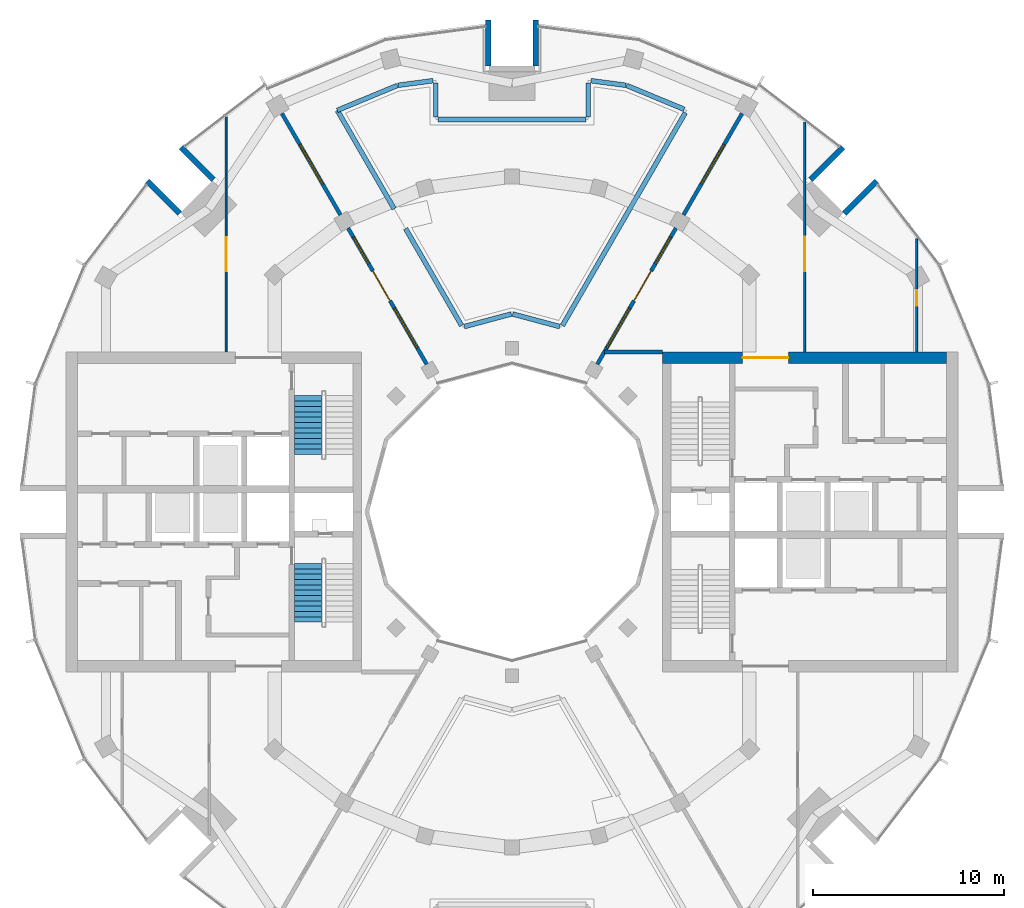
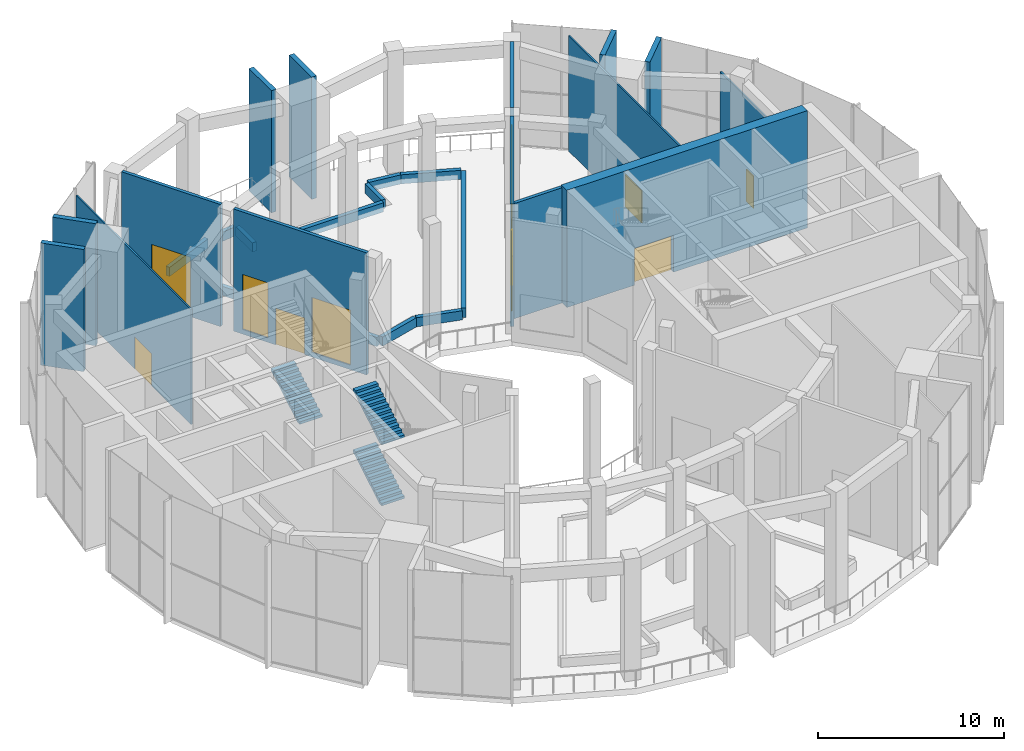
# One storey, part 14 of 18: 27 walls, 6 doors, 6 windows, 3 stair flights, 12 openings, 2 elements without a shape of their own.
"""IFC4 building model written with IfcOpenShell, lengths in metres."""

from ifc_helpers import new_model, si_unit, direction, frame, frame_2d, origin, place, context, subcontext, project, spatial, polyline, rectangle, outline, extrude, material, layer, layer_set, type_object, element, fill, aggregate, save


model = new_model("IFC4")

# Units and contexts
model_context = context("Model", 3, precision=1e-05, world=origin(), true_north=direction((0.0, 1.0)))
body_context = subcontext(model_context, "Body", "Model", "MODEL_VIEW")
ifc_project = project(units=[si_unit("LENGTHUNIT", "METRE"), si_unit("AREAUNIT", "SQUARE_METRE"), si_unit("VOLUMEUNIT", "CUBIC_METRE"), si_unit("PLANEANGLEUNIT", "RADIAN"), si_unit("MASSUNIT", "GRAM", prefix="KILO")], contexts=[model_context])

# Site, building, storey
site_placement = place(None, origin())
site = spatial("IfcSite", under=ifc_project, at=site_placement, CompositionType="ELEMENT")
building_placement = place(site_placement, origin())
building = spatial("IfcBuilding", under=site, at=building_placement, Name="Torre Brocal", CompositionType="ELEMENT")
storey_placement = place(building_placement, frame((0.0, 0.0, 229.300048828125)))
storey = spatial("IfcBuildingStorey", under=building, at=storey_placement, Name="L53", CompositionType="ELEMENT", Elevation=229.300048828125)

# Wall, opening, door
ifc_material_1 = material(Name="Concrete C60", Category="concrete")
ifc_layer_1 = layer(ifc_material_1, 0.60009765625)
ifc_layer_set_1 = layer_set([ifc_layer_1], Name="Concrete C60")
wall_type_1 = type_object("IfcWallType", Name="CORE WALL 600 C60", PredefinedType="SHEAR", material=ifc_layer_set_1)
wall_1_placement = place(storey_placement, frame((87.89990234375, 83.10009765625, 0.0), z_axis=(0.0, 0.0, 1.0), x_axis=(1.0, 0.0, 0.0)))
wall_1 = element("IfcWall", 1, at=wall_1_placement, inside=storey, type_object=wall_type_1, Name="Wall CW600-60", PredefinedType="SHEAR", context=body_context, shape_type="SweptSolid", body=[
    extrude(rectangle(XDim=14.900146484375, YDim=0.60009765625, at=frame_2d((7.4501953125, 0.0))), origin(), (0.0, 0.0, 1.0), 7.679931640625),
])
opening_1_placement = place(wall_1_placement, frame((4.199951171875, 0.0, 0.0)))
opening_1 = element("IfcOpeningElement", 2, at=opening_1_placement, cuts=wall_1, Name="Opening E-D34", PredefinedType="OPENING", context=body_context, shape_type="SweptSolid", body=[
    extrude(rectangle(XDim=2.39990234375, YDim=2.39990234375, at=frame_2d((1.199951171875, 1.199951171875))), frame((0.0, 0.31005859375, 0.0), z_axis=(0.0, -1.0, 0.0), x_axis=(1.0, 0.0, 0.0)), (0.0, 0.0, 1.0), 0.6201171875),
])
ifc_material_2 = material(Name="Steel A653", Category="steel")
door_type_1 = type_object("IfcDoorType", Name="DOUBLE FIRE DOOR FD90 2400X2400", OperationType="DOUBLE_DOOR_SINGLE_SWING", PredefinedType="DOOR", material=ifc_material_2)
door_1_placement = place(opening_1_placement, origin())
door_1 = element("IfcDoor", 3, at=door_1_placement, inside=storey, type_object=door_type_1, Name="Door E-D34", OperationType="DOUBLE_DOOR_SINGLE_SWING", OverallHeight=2.39990234375, OverallWidth=2.39990234375, PredefinedType="DOOR", context=body_context, shape_type="SweptSolid", body=[
    extrude(rectangle(XDim=2.39990234375, YDim=2.39990234375, at=frame_2d((1.199951171875, 1.199951171875))), frame((0.0, 0.02490234375, 0.0), z_axis=(0.0, -1.0, 0.0), x_axis=(1.0, 0.0, 0.0)), (0.0, 0.0, 1.0), 0.050048828125),
])
fill(opening_1, door_1)

# Walls
ifc_material_3 = material(Name="Concrete C60", Category="concrete")
ifc_layer_2 = layer(ifc_material_3, 0.300048828125)
ifc_layer_set_2 = layer_set([ifc_layer_2], Name="Concrete C60")
wall_type_2 = type_object("IfcWallType", Name="NOTCH RETURN WALL 300 C60", PredefinedType="NOTDEFINED", material=ifc_layer_set_2)
for number, where, z_axis, x_axis, name in (
    (4, (97.43017578125, 90.662353515625, 0.0), (0.0, 0.0, 1.0), (0.707106781187, 0.707106781187, 0.0), "NOTCH RETURN WALL"),
    (5, (95.662353515625, 92.43017578125, 0.0), (0.0, 0.0, 1.0), (0.707106781187, 0.707106781187, 0.0), "NOTCH RETURN WALL"),
    (6, (81.25, 98.39990234375, 0.0), (0.0, 0.0, 1.0), (0.0, 1.0, 0.0), "NOTCH RETURN WALL"),
    (7, (78.75, 98.39990234375, 0.0), (0.0, 0.0, 1.0), (0.0, 1.0, 0.0), "NOTCH RETURN WALL"),
    (8, (64.337646484375, 92.43017578125, 0.0), (0.0, 0.0, 1.0), (-0.707106781187, 0.707106781187, 0.0), "NOTCH RETURN WALL"),
    (9, (62.56982421875, 90.662353515625, 0.0), (0.0, 0.0, 1.0), (-0.707106781187, 0.707106781187, 0.0), "NOTCH RETURN WALL"),
):
    element("IfcWall", number, at=place(storey_placement, frame(where, z_axis=z_axis, x_axis=x_axis)), inside=storey, type_object=wall_type_2, Name=name, PredefinedType="NOTDEFINED", context=body_context, shape_type="SweptSolid", body=[
        extrude(rectangle(XDim=2.415771484375, YDim=0.300048828125, at=frame_2d((1.2080078125, 0.0))), origin(), (0.0, 0.0, 1.0), 8.0),
    ])

# Wall, opening, door
ifc_material_4 = material(Name="Gypsum board", Category="Gypsum")
ifc_layer_3 = layer(ifc_material_4, 0.10009765625)
ifc_layer_set_3 = layer_set([ifc_layer_3], Name="Gypsum board")
wall_type_3 = type_object("IfcWallType", Name="PARTITION 100", PredefinedType="PARTITIONING", material=ifc_layer_set_3)
wall_2_placement = place(storey_placement, frame((65.0, 83.39990234375, 0.0), z_axis=(0.0, 0.0, 1.0), x_axis=(0.0, 1.0, 0.0)))
wall_2 = element("IfcWall", 10, at=wall_2_placement, inside=storey, type_object=wall_type_3, Name="ROOM PARTITION", PredefinedType="PARTITIONING", context=body_context, shape_type="SweptSolid", body=[
    extrude(rectangle(XDim=12.330078125, YDim=0.10009765625, at=frame_2d((6.1650390625, 0.0))), origin(), (0.0, 0.0, 1.0), 7.550048828125),
])
opening_2_placement = place(wall_2_placement, frame((4.221435546875, 0.0, 0.0)))
opening_2 = element("IfcOpeningElement", 11, at=opening_2_placement, cuts=wall_2, Name="Opening SG3-D04", PredefinedType="OPENING", context=body_context, shape_type="SweptSolid", body=[
    extrude(rectangle(XDim=1.800048828125, YDim=2.10009765625, at=frame_2d((0.89990234375, 1.050048828125))), frame((0.0, 0.06005859375, 0.0), z_axis=(0.0, -1.0, 0.0), x_axis=(1.0, 0.0, 0.0)), (0.0, 0.0, 1.0), 0.1201171875),
])
ifc_material_5 = material(Name="Timber", Category="wood")
door_type_2 = type_object("IfcDoorType", Name="DOUBLE DOOR 1800X2100", OperationType="DOUBLE_DOOR_SINGLE_SWING", PredefinedType="DOOR", material=ifc_material_5)
door_2_placement = place(opening_2_placement, origin())
door_2 = element("IfcDoor", 12, at=door_2_placement, inside=storey, type_object=door_type_2, Name="SG3-D04", OperationType="DOUBLE_DOOR_SINGLE_SWING", OverallHeight=2.10009765625, OverallWidth=1.800048828125, PredefinedType="DOOR", context=body_context, shape_type="SweptSolid", body=[
    extrude(rectangle(XDim=1.800048828125, YDim=2.10009765625, at=frame_2d((0.89990234375, 1.050048828125))), frame((0.0, 0.02490234375, 0.0), z_axis=(0.0, -1.0, 0.0), x_axis=(1.0, 0.0, 0.0)), (0.0, 0.0, 1.0), 0.050048828125),
])
fill(opening_2, door_2)

wall_3_placement = place(storey_placement, frame((95.35107421875, 83.39990234375, 0.0), z_axis=(0.0, 0.0, 1.0), x_axis=(0.0, 1.0, 0.0)))
wall_3 = element("IfcWall", 13, at=wall_3_placement, inside=storey, type_object=wall_type_3, Name="ROOM PARTITION", PredefinedType="PARTITIONING", context=body_context, shape_type="SweptSolid", body=[
    extrude(rectangle(XDim=12.06005859375, YDim=0.10009765625, at=frame_2d((6.030029296875, 0.0))), origin(), (0.0, 0.0, 1.0), 7.550048828125),
])
opening_3_placement = place(wall_3_placement, frame((4.22998046875, 0.0, 0.0)))
opening_3 = element("IfcOpeningElement", 14, at=opening_3_placement, cuts=wall_3, Name="Opening SG3-D01", PredefinedType="OPENING", context=body_context, shape_type="SweptSolid", body=[
    extrude(rectangle(XDim=1.800048828125, YDim=2.10009765625, at=frame_2d((0.89990234375, 1.050048828125))), frame((0.0, 0.06005859375, 0.0), z_axis=(0.0, -1.0, 0.0), x_axis=(1.0, 0.0, 0.0)), (0.0, 0.0, 1.0), 0.1201171875),
])
door_3_placement = place(opening_3_placement, frame((1.800048828125, 0.0, 0.0), z_axis=(0.0, 0.0, 1.0), x_axis=(-1.0, 0.0, 0.0)))
door_3 = element("IfcDoor", 15, at=door_3_placement, inside=storey, type_object=door_type_2, Name="SG3-D01", OperationType="DOUBLE_DOOR_SINGLE_SWING", OverallHeight=2.10009765625, OverallWidth=1.800048828125, PredefinedType="DOOR", context=body_context, shape_type="SweptSolid", body=[
    extrude(rectangle(XDim=1.800048828125, YDim=2.10009765625, at=frame_2d((0.89990234375, 1.050048828125))), frame((0.0, 0.02490234375, 0.0), z_axis=(0.0, -1.0, 0.0), x_axis=(1.0, 0.0, 0.0)), (0.0, 0.0, 1.0), 0.050048828125),
])
fill(opening_3, door_3)

ifc_material_6 = material(Name="Gypsum board", Category="Gypsum")
ifc_layer_4 = layer(ifc_material_6, 0.10009765625)
ifc_layer_set_4 = layer_set([ifc_layer_4], Name="Gypsum board")
wall_type_4 = type_object("IfcWallType", Name="PARTITION 100 UNDER BEAM 1170", PredefinedType="PARTITIONING", material=ifc_layer_set_4)
wall_4_placement = place(storey_placement, frame((101.23095703125, 83.39990234375, 0.0), z_axis=(0.0, 0.0, 1.0), x_axis=(0.0, 1.0, 0.0)))
wall_4 = element("IfcWall", 16, at=wall_4_placement, inside=storey, type_object=wall_type_4, Name="BATHROOM WALL", PredefinedType="PARTITIONING", context=body_context, shape_type="SweptSolid", body=[
    extrude(rectangle(XDim=5.947998046875, YDim=0.10009765625, at=frame_2d((2.97412109375, 0.0))), origin(), (0.0, 0.0, 1.0), 6.829833984375),
])
opening_4_placement = place(wall_4_placement, frame((2.424072265625, 0.0, 0.0)))
opening_4 = element("IfcOpeningElement", 17, at=opening_4_placement, cuts=wall_4, Name="Opening SG3-D02", PredefinedType="OPENING", context=body_context, shape_type="SweptSolid", body=[
    extrude(rectangle(XDim=0.800048828125, YDim=2.10009765625, at=frame_2d((0.39990234375, 1.050048828125))), frame((0.0, 0.06005859375, 0.0), z_axis=(0.0, -1.0, 0.0), x_axis=(1.0, 0.0, 0.0)), (0.0, 0.0, 1.0), 0.1201171875),
])
ifc_material_7 = material(Name="Timber", Category="wood")
door_type_3 = type_object("IfcDoorType", Name="BATHROOM DOOR 800X2100", OperationType="SINGLE_SWING_LEFT", PredefinedType="DOOR", material=ifc_material_7)
door_4_placement = place(opening_4_placement, frame((0.800048828125, 0.0, 0.0), z_axis=(0.0, 0.0, 1.0), x_axis=(-1.0, 0.0, 0.0)))
door_4 = element("IfcDoor", 18, at=door_4_placement, inside=storey, type_object=door_type_3, Name="SG3-D02", OperationType="SINGLE_SWING_LEFT", OverallHeight=2.10009765625, OverallWidth=0.800048828125, PredefinedType="DOOR", context=body_context, shape_type="SweptSolid", body=[
    extrude(rectangle(XDim=0.800048828125, YDim=2.10009765625, at=frame_2d((0.39990234375, 1.050048828125))), frame((0.0, 0.02490234375, 0.0), z_axis=(0.0, -1.0, 0.0), x_axis=(1.0, 0.0, 0.0)), (0.0, 0.0, 1.0), 0.050048828125),
])
fill(opening_4, door_4)

# Wall
ifc_material_8 = material(Name="Gypsum board", Category="Gypsum")
ifc_layer_5 = layer(ifc_material_8, 0.199951171875)
ifc_layer_set_5 = layer_set([ifc_layer_5], Name="Gypsum board")
wall_type_5 = type_object("IfcWallType", Name="PARTITION 200 EI60", PredefinedType="PARTITIONING", material=ifc_layer_set_5)
wall_5_placement = place(storey_placement, frame((84.85107421875, 83.39990234375, 0.0), z_axis=(0.0, 0.0, 1.0), x_axis=(1.0, 0.0, 0.0)))
element("IfcWall", 19, at=wall_5_placement, inside=storey, type_object=wall_type_5, Name="PARTY PARTITION", PredefinedType="PARTITIONING", context=body_context, shape_type="SweptSolid", body=[
    extrude(rectangle(XDim=3.0478515625, YDim=0.199951171875, at=frame_2d((1.52392578125, 0.0))), origin(), (0.0, 0.0, 1.0), 7.550048828125),
])

# Wall, openings, door, windows
ifc_material_9 = material(Name="Concrete C40", Category="concrete")
ifc_layer_6 = layer(ifc_material_9, 0.199951171875)
ifc_layer_set_6 = layer_set([ifc_layer_6], Name="Concrete C40")
wall_type_6 = type_object("IfcWallType", Name="PAVILION BOUNDARY WALL 200", PredefinedType="NOTDEFINED", material=ifc_layer_set_6)
wall_6_placement = place(storey_placement, frame((84.47509765625, 82.7509765625, 0.0), z_axis=(0.0, 0.0, 1.0), x_axis=(0.499996545922, 0.866027397988, 0.0)))
wall_6 = element("IfcWall", 20, at=wall_6_placement, inside=storey, type_object=wall_type_6, Name="PAVILION BOUNDARY WALL", PredefinedType="NOTDEFINED", context=body_context, shape_type="SweptSolid", body=[
    extrude(rectangle(XDim=8.25, YDim=0.199951171875, at=frame_2d((4.125, 0.0))), origin(), (0.0, 0.0, 1.0), 8.0),
])
opening_5_placement = place(wall_6_placement, frame((1.0, 0.0, 0.300048828125)))
opening_5 = element("IfcOpeningElement", 21, at=opening_5_placement, cuts=wall_6, Name="Opening W4", PredefinedType="OPENING", context=body_context, shape_type="SweptSolid", body=[
    extrude(rectangle(XDim=2.39990234375, YDim=3.60009765625, at=frame_2d((1.199951171875, 1.800048828125))), frame((0.0, 0.10986328125, 0.0), z_axis=(0.0, -1.0, 0.0), x_axis=(1.0, 0.0, 0.0)), (0.0, 0.0, 1.0), 0.219970703125),
])
opening_6_placement = place(wall_6_placement, frame((3.85009765625, 0.0, 0.0)))
opening_6 = element("IfcOpeningElement", 22, at=opening_6_placement, cuts=wall_6, Name="Opening L53-E01", PredefinedType="OPENING", context=body_context, shape_type="SweptSolid", body=[
    extrude(rectangle(XDim=1.800048828125, YDim=2.39990234375, at=frame_2d((0.89990234375, 1.199951171875))), frame((0.0, 0.10986328125, 0.0), z_axis=(0.0, -1.0, 0.0), x_axis=(1.0, 0.0, 0.0)), (0.0, 0.0, 1.0), 0.219970703125),
])
opening_7_placement = place(wall_6_placement, frame((6.10009765625, 0.0, 0.300048828125)))
opening_7 = element("IfcOpeningElement", 23, at=opening_7_placement, cuts=wall_6, Name="Opening W4-1600", PredefinedType="OPENING", context=body_context, shape_type="SweptSolid", body=[
    extrude(rectangle(XDim=1.60009765625, YDim=3.60009765625, at=frame_2d((0.800048828125, 1.800048828125))), frame((0.0, 0.10986328125, 0.0), z_axis=(0.0, -1.0, 0.0), x_axis=(1.0, 0.0, 0.0)), (0.0, 0.0, 1.0), 0.219970703125),
])
ifc_material_10 = material(Name="Aluminium and glass", Category="aluminium")
door_type_4 = type_object("IfcDoorType", Name="PAVILION DOOR 1800X2400", OperationType="DOUBLE_DOOR_SINGLE_SWING", PredefinedType="DOOR", material=ifc_material_10)
door_5_placement = place(opening_6_placement, origin())
door_5 = element("IfcDoor", 24, at=door_5_placement, inside=storey, type_object=door_type_4, Name="DOOR L53-E01", OperationType="DOUBLE_DOOR_SINGLE_SWING", OverallHeight=2.39990234375, OverallWidth=1.800048828125, PredefinedType="DOOR", context=body_context, shape_type="SweptSolid", body=[
    extrude(rectangle(XDim=1.800048828125, YDim=2.39990234375, at=frame_2d((0.89990234375, 1.199951171875))), frame((0.0, 0.02490234375, 0.0), z_axis=(0.0, -1.0, 0.0), x_axis=(1.0, 0.0, 0.0)), (0.0, 0.0, 1.0), 0.050048828125),
])
fill(opening_6, door_5)
ifc_material_11 = material(Name="Aluminium and glass", Category="aluminium")
window_type_1 = type_object("IfcWindowType", Name="PAVILION WINDOW 1600X3600", PartitioningType="SINGLE_PANEL", PredefinedType="WINDOW", material=ifc_material_11)
window_1_placement = place(opening_7_placement, origin())
window_1 = element("IfcWindow", 25, at=window_1_placement, inside=storey, type_object=window_type_1, Name="PAVILION WINDOW 1600X3600", OverallHeight=3.60009765625, OverallWidth=1.60009765625, PartitioningType="SINGLE_PANEL", PredefinedType="WINDOW", context=body_context, shape_type="SweptSolid", body=[
    extrude(rectangle(XDim=1.60009765625, YDim=3.60009765625, at=frame_2d((0.800048828125, 1.800048828125))), frame((0.0, 0.030029296875, 0.0), z_axis=(0.0, -1.0, 0.0), x_axis=(1.0, 0.0, 0.0)), (0.0, 0.0, 1.0), 0.06005859375),
])
fill(opening_7, window_1)
ifc_material_12 = material(Name="Aluminium and glass", Category="aluminium")
window_type_2 = type_object("IfcWindowType", Name="PAVILION WINDOW 2400X3600", PartitioningType="SINGLE_PANEL", PredefinedType="WINDOW", material=ifc_material_12)
window_2_placement = place(opening_5_placement, origin())
window_2 = element("IfcWindow", 26, at=window_2_placement, inside=storey, type_object=window_type_2, Name="PAVILION WINDOW 2400X3600", OverallHeight=3.60009765625, OverallWidth=2.39990234375, PartitioningType="SINGLE_PANEL", PredefinedType="WINDOW", context=body_context, shape_type="SweptSolid", body=[
    extrude(rectangle(XDim=2.39990234375, YDim=3.60009765625, at=frame_2d((1.199951171875, 1.800048828125))), frame((0.0, 0.030029296875, 0.0), z_axis=(0.0, -1.0, 0.0), x_axis=(1.0, 0.0, 0.0)), (0.0, 0.0, 1.0), 0.06005859375),
])
fill(opening_5, window_2)

# Wall, opening, window
wall_7_placement = place(storey_placement, frame((89.0, 90.58837890625, 0.0), z_axis=(0.0, 0.0, 1.0), x_axis=(0.499985903289, 0.866033542371, 0.0)))
wall_7 = element("IfcWall", 27, at=wall_7_placement, inside=storey, type_object=wall_type_6, Name="PAVILION BOUNDARY WALL", PredefinedType="NOTDEFINED", context=body_context, shape_type="SweptSolid", body=[
    extrude(rectangle(XDim=6.150146484375, YDim=0.199951171875, at=frame_2d((3.0751953125, 0.0))), origin(), (0.0, 0.0, 1.0), 8.0),
])
opening_8_placement = place(wall_7_placement, frame((1.875, 0.0, 0.300048828125)))
opening_8 = element("IfcOpeningElement", 28, at=opening_8_placement, cuts=wall_7, Name="Opening W4", PredefinedType="OPENING", context=body_context, shape_type="SweptSolid", body=[
    extrude(rectangle(XDim=2.39990234375, YDim=3.60009765625, at=frame_2d((1.199951171875, 1.800048828125))), frame((0.0, 0.10986328125, 0.0), z_axis=(0.0, -1.0, 0.0), x_axis=(1.0, 0.0, 0.0)), (0.0, 0.0, 1.0), 0.219970703125),
])
window_3_placement = place(opening_8_placement, origin())
window_3 = element("IfcWindow", 29, at=window_3_placement, inside=storey, type_object=window_type_2, Name="PAVILION WINDOW 2400X3600", OverallHeight=3.60009765625, OverallWidth=2.39990234375, PartitioningType="SINGLE_PANEL", PredefinedType="WINDOW", context=body_context, shape_type="SweptSolid", body=[
    extrude(rectangle(XDim=2.39990234375, YDim=3.60009765625, at=frame_2d((1.199951171875, 1.800048828125))), frame((0.0, 0.030029296875, 0.0), z_axis=(0.0, -1.0, 0.0), x_axis=(1.0, 0.0, 0.0)), (0.0, 0.0, 1.0), 0.06005859375),
])
fill(opening_8, window_3)

# Wall, openings, door, windows
wall_8_placement = place(storey_placement, frame((75.52490234375, 82.7509765625, 0.0), z_axis=(0.0, 0.0, 1.0), x_axis=(-0.499996545922, 0.866027397988, 0.0)))
wall_8 = element("IfcWall", 30, at=wall_8_placement, inside=storey, type_object=wall_type_6, Name="PAVILION BOUNDARY WALL", PredefinedType="NOTDEFINED", context=body_context, shape_type="SweptSolid", body=[
    extrude(rectangle(XDim=8.25, YDim=0.199951171875, at=frame_2d((4.125, 0.0))), origin(), (0.0, 0.0, 1.0), 8.0),
])
opening_9_placement = place(wall_8_placement, frame((1.0, 0.0, 0.300048828125)))
opening_9 = element("IfcOpeningElement", 31, at=opening_9_placement, cuts=wall_8, Name="Opening W4", PredefinedType="OPENING", context=body_context, shape_type="SweptSolid", body=[
    extrude(rectangle(XDim=2.39990234375, YDim=3.60009765625, at=frame_2d((1.199951171875, 1.800048828125))), frame((0.0, 0.10986328125, 0.0), z_axis=(0.0, -1.0, 0.0), x_axis=(1.0, 0.0, 0.0)), (0.0, 0.0, 1.0), 0.219970703125),
])
opening_10_placement = place(wall_8_placement, frame((3.85009765625, 0.0, 0.0)))
opening_10 = element("IfcOpeningElement", 32, at=opening_10_placement, cuts=wall_8, Name="Opening L53-E02", PredefinedType="OPENING", context=body_context, shape_type="SweptSolid", body=[
    extrude(rectangle(XDim=1.800048828125, YDim=2.39990234375, at=frame_2d((0.89990234375, 1.199951171875))), frame((0.0, 0.10986328125, 0.0), z_axis=(0.0, -1.0, 0.0), x_axis=(1.0, 0.0, 0.0)), (0.0, 0.0, 1.0), 0.219970703125),
])
opening_11_placement = place(wall_8_placement, frame((6.10009765625, 0.0, 0.300048828125)))
opening_11 = element("IfcOpeningElement", 33, at=opening_11_placement, cuts=wall_8, Name="Opening W4-1600", PredefinedType="OPENING", context=body_context, shape_type="SweptSolid", body=[
    extrude(rectangle(XDim=1.60009765625, YDim=3.60009765625, at=frame_2d((0.800048828125, 1.800048828125))), frame((0.0, 0.10986328125, 0.0), z_axis=(0.0, -1.0, 0.0), x_axis=(1.0, 0.0, 0.0)), (0.0, 0.0, 1.0), 0.219970703125),
])
door_6_placement = place(opening_10_placement, frame((1.800048828125, 0.0, 0.0), z_axis=(0.0, 0.0, 1.0), x_axis=(-1.0, 0.0, 0.0)))
door_6 = element("IfcDoor", 34, at=door_6_placement, inside=storey, type_object=door_type_4, Name="DOOR L53-E02", OperationType="DOUBLE_DOOR_SINGLE_SWING", OverallHeight=2.39990234375, OverallWidth=1.800048828125, PredefinedType="DOOR", context=body_context, shape_type="SweptSolid", body=[
    extrude(rectangle(XDim=1.800048828125, YDim=2.39990234375, at=frame_2d((0.89990234375, 1.199951171875))), frame((0.0, 0.02490234375, 0.0), z_axis=(0.0, -1.0, 0.0), x_axis=(1.0, 0.0, 0.0)), (0.0, 0.0, 1.0), 0.050048828125),
])
fill(opening_10, door_6)
window_4_placement = place(opening_11_placement, origin())
window_4 = element("IfcWindow", 35, at=window_4_placement, inside=storey, type_object=window_type_1, Name="PAVILION WINDOW 1600X3600", OverallHeight=3.60009765625, OverallWidth=1.60009765625, PartitioningType="SINGLE_PANEL", PredefinedType="WINDOW", context=body_context, shape_type="SweptSolid", body=[
    extrude(rectangle(XDim=1.60009765625, YDim=3.60009765625, at=frame_2d((0.800048828125, 1.800048828125))), frame((0.0, 0.030029296875, 0.0), z_axis=(0.0, -1.0, 0.0), x_axis=(1.0, 0.0, 0.0)), (0.0, 0.0, 1.0), 0.06005859375),
])
fill(opening_11, window_4)
window_5_placement = place(opening_9_placement, origin())
window_5 = element("IfcWindow", 36, at=window_5_placement, inside=storey, type_object=window_type_2, Name="PAVILION WINDOW 2400X3600", OverallHeight=3.60009765625, OverallWidth=2.39990234375, PartitioningType="SINGLE_PANEL", PredefinedType="WINDOW", context=body_context, shape_type="SweptSolid", body=[
    extrude(rectangle(XDim=2.39990234375, YDim=3.60009765625, at=frame_2d((1.199951171875, 1.800048828125))), frame((0.0, 0.030029296875, 0.0), z_axis=(0.0, -1.0, 0.0), x_axis=(1.0, 0.0, 0.0)), (0.0, 0.0, 1.0), 0.06005859375),
])
fill(opening_9, window_5)

# Wall, opening, window
wall_9_placement = place(storey_placement, frame((71.0, 90.58837890625, 0.0), z_axis=(0.0, 0.0, 1.0), x_axis=(-0.499985903289, 0.866033542371, 0.0)))
wall_9 = element("IfcWall", 37, at=wall_9_placement, inside=storey, type_object=wall_type_6, Name="PAVILION BOUNDARY WALL", PredefinedType="NOTDEFINED", context=body_context, shape_type="SweptSolid", body=[
    extrude(rectangle(XDim=6.150146484375, YDim=0.199951171875, at=frame_2d((3.0751953125, 0.0))), origin(), (0.0, 0.0, 1.0), 8.0),
])
opening_12_placement = place(wall_9_placement, frame((1.875, 0.0, 0.300048828125)))
opening_12 = element("IfcOpeningElement", 38, at=opening_12_placement, cuts=wall_9, Name="Opening W4", PredefinedType="OPENING", context=body_context, shape_type="SweptSolid", body=[
    extrude(rectangle(XDim=2.39990234375, YDim=3.60009765625, at=frame_2d((1.199951171875, 1.800048828125))), frame((0.0, 0.10986328125, 0.0), z_axis=(0.0, -1.0, 0.0), x_axis=(1.0, 0.0, 0.0)), (0.0, 0.0, 1.0), 0.219970703125),
])
window_6_placement = place(opening_12_placement, origin())
window_6 = element("IfcWindow", 39, at=window_6_placement, inside=storey, type_object=window_type_2, Name="PAVILION WINDOW 2400X3600", OverallHeight=3.60009765625, OverallWidth=2.39990234375, PartitioningType="SINGLE_PANEL", PredefinedType="WINDOW", context=body_context, shape_type="SweptSolid", body=[
    extrude(rectangle(XDim=2.39990234375, YDim=3.60009765625, at=frame_2d((1.199951171875, 1.800048828125))), frame((0.0, 0.030029296875, 0.0), z_axis=(0.0, -1.0, 0.0), x_axis=(1.0, 0.0, 0.0)), (0.0, 0.0, 1.0), 0.06005859375),
])
fill(opening_12, window_6)

# Walls
ifc_material_13 = material(Name="Concrete C35", Category="concrete")
ifc_layer_7 = layer(ifc_material_13, 0.25)
ifc_layer_set_7 = layer_set([ifc_layer_7], Name="Concrete C35")
wall_type_7 = type_object("IfcWallType", Name="PLANTER WALL 250 THICK 600 HIGH 8", PredefinedType="USERDEFINED", material=ifc_layer_set_7)
wall_10_placement = place(storey_placement, frame((70.8349609375, 96.074462890625, 0.0), z_axis=(0.0, 0.0, 1.0), x_axis=(0.500003486784, -0.866023390679, 0.0)))
element("IfcWall", 40, at=wall_10_placement, inside=storey, type_object=wall_type_7, Name="PLANTER", ObjectType="PLANTER", PredefinedType="USERDEFINED", context=body_context, shape_type="SweptSolid", body=[
    extrude(rectangle(XDim=5.9658203125, YDim=0.25, at=frame_2d((2.98291015625, 0.0))), origin(), (0.0, 0.0, 1.0), 0.599853515625),
])
wall_11_placement = place(storey_placement, frame((74.417724609375, 89.86865234375, 0.0), z_axis=(0.0, 0.0, 1.0), x_axis=(0.499999689456, -0.866025583077, 0.0)))
element("IfcWall", 41, at=wall_11_placement, inside=storey, type_object=wall_type_7, Name="PLANTER", ObjectType="PLANTER", PredefinedType="USERDEFINED", context=body_context, shape_type="SweptSolid", body=[
    extrude(rectangle(XDim=5.86962890625, YDim=0.25, at=frame_2d((2.934814453125, 0.0))), origin(), (0.0, 0.0, 1.0), 0.599853515625),
])
for number, where, z_axis, x_axis, name in (
    (42, (77.4931640625, 84.72705078125, 0.0), (0.0, 0.0, 1.0), (0.965917845578, 0.258848827685, 0.0), "PLANTER"),
    (43, (80.032470703125, 85.39013671875, 0.0), (0.0, 0.0, 1.0), (0.965917845578, -0.258848827685, 0.0), "PLANTER"),
):
    element("IfcWall", number, at=place(storey_placement, frame(where, z_axis=z_axis, x_axis=x_axis)), inside=storey, type_object=wall_type_7, Name=name, ObjectType="PLANTER", PredefinedType="USERDEFINED", context=body_context, shape_type="SweptSolid", body=[
        extrude(rectangle(XDim=2.561767578125, YDim=0.25, at=frame_2d((1.28076171875, 0.0))), origin(), (0.0, 0.0, 1.0), 0.599853515625),
    ])
wall_12_placement = place(storey_placement, frame((82.6474609375, 84.785400390625, 0.0), z_axis=(0.0, 0.0, 1.0), x_axis=(0.499992370413, 0.866029808684, 0.0)))
element("IfcWall", 44, at=wall_12_placement, inside=storey, type_object=wall_type_7, Name="PLANTER", ObjectType="PLANTER", PredefinedType="USERDEFINED", context=body_context, shape_type="SweptSolid", body=[
    extrude(rectangle(XDim=12.892822265625, YDim=0.25, at=frame_2d((6.4462890625, 0.0))), origin(), (0.0, 0.0, 1.0), 0.599853515625),
])
wall_13_placement = place(storey_placement, frame((89.033447265625, 96.12890625, 0.0), z_axis=(0.0, 0.0, 1.0), x_axis=(-0.923863886655, 0.382721202621, 0.0)))
element("IfcWall", 45, at=wall_13_placement, inside=storey, type_object=wall_type_7, Name="PLANTER", ObjectType="PLANTER", PredefinedType="USERDEFINED", context=body_context, shape_type="SweptSolid", body=[
    extrude(rectangle(XDim=3.2685546875, YDim=0.25, at=frame_2d((1.63427734375, 0.0))), origin(), (0.0, 0.0, 1.0), 0.599853515625),
])
wall_14_placement = place(storey_placement, frame((85.98193359375, 97.38818359375, 0.0), z_axis=(0.0, 0.0, 1.0), x_axis=(-0.991436829887, 0.130587182926, 0.0)))
element("IfcWall", 46, at=wall_14_placement, inside=storey, type_object=wall_type_7, Name="PLANTER", ObjectType="PLANTER", PredefinedType="USERDEFINED", context=body_context, shape_type="SweptSolid", body=[
    extrude(rectangle(XDim=1.8564453125, YDim=0.25, at=frame_2d((0.92822265625, 0.0))), origin(), (0.0, 0.0, 1.0), 0.599853515625),
])
wall_15_placement = place(storey_placement, frame((84.0, 97.506591796875, 0.0), z_axis=(0.0, 0.0, 1.0), x_axis=(0.0, -1.0, 0.0)))
element("IfcWall", 47, at=wall_15_placement, inside=storey, type_object=wall_type_7, Name="PLANTER", ObjectType="PLANTER", PredefinedType="USERDEFINED", context=body_context, shape_type="SweptSolid", body=[
    extrude(rectangle(XDim=1.781494140625, YDim=0.25, at=frame_2d((0.890625, 0.0))), origin(), (0.0, 0.0, 1.0), 0.599853515625),
])
wall_16_placement = place(storey_placement, frame((83.875, 95.60009765625, 0.0), z_axis=(0.0, 0.0, 1.0), x_axis=(-1.0, 0.0, 0.0)))
element("IfcWall", 48, at=wall_16_placement, inside=storey, type_object=wall_type_7, Name="PLANTER", ObjectType="PLANTER", PredefinedType="USERDEFINED", context=body_context, shape_type="SweptSolid", body=[
    extrude(rectangle(XDim=7.75, YDim=0.25, at=frame_2d((3.875, 0.0))), origin(), (0.0, 0.0, 1.0), 0.599853515625),
])
wall_17_placement = place(storey_placement, frame((76.0, 95.72509765625, 0.0), z_axis=(0.0, 0.0, 1.0), x_axis=(0.0, 1.0, 0.0)))
element("IfcWall", 49, at=wall_17_placement, inside=storey, type_object=wall_type_7, Name="PLANTER", ObjectType="PLANTER", PredefinedType="USERDEFINED", context=body_context, shape_type="SweptSolid", body=[
    extrude(rectangle(XDim=1.781494140625, YDim=0.25, at=frame_2d((0.890625, 0.0))), origin(), (0.0, 0.0, 1.0), 0.599853515625),
])
wall_18_placement = place(storey_placement, frame((75.858642578125, 97.630615234375, 0.0), z_axis=(0.0, 0.0, 1.0), x_axis=(-0.991436829887, -0.130587182926, 0.0)))
element("IfcWall", 50, at=wall_18_placement, inside=storey, type_object=wall_type_7, Name="PLANTER", ObjectType="PLANTER", PredefinedType="USERDEFINED", context=body_context, shape_type="SweptSolid", body=[
    extrude(rectangle(XDim=1.8564453125, YDim=0.25, at=frame_2d((0.92822265625, 0.0))), origin(), (0.0, 0.0, 1.0), 0.599853515625),
])
wall_19_placement = place(storey_placement, frame((73.986328125, 97.3798828125, 0.0), z_axis=(0.0, 0.0, 1.0), x_axis=(-0.923871147788, -0.38270367425, 0.0)))
element("IfcWall", 51, at=wall_19_placement, inside=storey, type_object=wall_type_7, Name="PLANTER", ObjectType="PLANTER", PredefinedType="USERDEFINED", context=body_context, shape_type="SweptSolid", body=[
    extrude(rectangle(XDim=3.4111328125, YDim=0.25, at=frame_2d((1.70556640625, 0.0))), origin(), (0.0, 0.0, 1.0), 0.599853515625),
])

# Stair, stair flights
ifc_material_14 = material(Name="Concrete C50", Category="concrete")
stair_type = type_object("IfcStairType", Name="EXIT STAIR", PredefinedType="HALF_TURN_STAIR", material=ifc_material_14)
stair_1_placement = place(storey_placement, origin())
stair_1 = element("IfcStair", 52, at=stair_1_placement, inside=storey, type_object=stair_type, Name="EXIT STAIR ST3", PredefinedType="HALF_TURN_STAIR")
ifc_material_15 = material(Name="Concrete C50", Category="concrete")
ifc_layer_8 = layer(ifc_material_15, 0.14990234375)
ifc_layer_set_8 = layer_set([ifc_layer_8], Name="Concrete C50")
stair_flight_type = type_object("IfcStairFlightType", Name="STAIR FLIGHT", PredefinedType="STRAIGHT", material=ifc_layer_set_8)
stair_flight_1_placement = place(storey_placement, frame((69.300048828125, 69.219970703125, 2.0), z_axis=(0.0, 0.0, 1.0), x_axis=(0.0, 1.0, 0.0)))
stair_flight_1 = element("IfcStairFlight", 53, at=stair_flight_1_placement, type_object=stair_flight_type, Name="ST3 flight 2", NumberOfRisers=12, NumberOfTreads=11, PredefinedType="STRAIGHT", RiserHeight=0.166666667, TreadLength=0.28, context=body_context, shape_type="SweptSolid", body=[
    extrude(outline(polyline([(0.0, 0.0), (0.0, 0.166748046875), (0.280029296875, 0.166748046875), (0.280029296875, 0.333251953125), (0.56005859375, 0.333251953125), (0.56005859375, 0.5), (0.840087890625, 0.5), (0.840087890625, 0.666748046875), (1.1201171875, 0.666748046875), (1.1201171875, 0.833251953125), (1.39990234375, 0.833251953125), (1.39990234375, 1.0), (1.679931640625, 1.0), (1.679931640625, 1.166748046875), (1.9599609375, 1.166748046875), (1.9599609375, 1.333251953125), (2.239990234375, 1.333251953125), (2.239990234375, 1.5), (2.52001953125, 1.5), (2.52001953125, 1.666748046875), (2.800048828125, 1.666748046875), (2.800048828125, 1.833251953125), (3.080078125, 1.833251953125), (3.080078125, 2.0), (3.080078125, 1.658935546875), (0.29296875, 0.0), (0.0, 0.0)])), frame((0.0, 0.699951171875, 0.0), z_axis=(0.0, -1.0, 0.0), x_axis=(1.0, 0.0, 0.0)), (0.0, 0.0, 1.0), 1.39990234375),
])
stair_flight_2_placement = place(storey_placement, frame((69.300048828125, 69.219970703125, 6.0), z_axis=(0.0, 0.0, 1.0), x_axis=(0.0, 1.0, 0.0)))
stair_flight_2 = element("IfcStairFlight", 54, at=stair_flight_2_placement, type_object=stair_flight_type, Name="ST3 flight 4", NumberOfRisers=12, NumberOfTreads=11, PredefinedType="STRAIGHT", RiserHeight=0.166666667, TreadLength=0.28, context=body_context, shape_type="SweptSolid", body=[
    extrude(outline(polyline([(0.0, 0.0), (0.0, 0.166748046875), (0.280029296875, 0.166748046875), (0.280029296875, 0.333251953125), (0.56005859375, 0.333251953125), (0.56005859375, 0.5), (0.840087890625, 0.5), (0.840087890625, 0.666748046875), (1.1201171875, 0.666748046875), (1.1201171875, 0.833251953125), (1.39990234375, 0.833251953125), (1.39990234375, 1.0), (1.679931640625, 1.0), (1.679931640625, 1.166748046875), (1.9599609375, 1.166748046875), (1.9599609375, 1.333251953125), (2.239990234375, 1.333251953125), (2.239990234375, 1.5), (2.52001953125, 1.5), (2.52001953125, 1.666748046875), (2.800048828125, 1.666748046875), (2.800048828125, 1.833251953125), (3.080078125, 1.833251953125), (3.080078125, 2.0), (3.080078125, 1.658935546875), (0.29296875, 0.0), (0.0, 0.0)])), frame((0.0, 0.699951171875, 0.0), z_axis=(0.0, -1.0, 0.0), x_axis=(1.0, 0.0, 0.0)), (0.0, 0.0, 1.0), 1.39990234375),
])
aggregate(stair_1, [stair_flight_1, stair_flight_2])

# Stair, stair flight
stair_2_placement = place(storey_placement, origin())
stair_2 = element("IfcStair", 55, at=stair_2_placement, inside=storey, type_object=stair_type, Name="EXIT STAIR ST4", PredefinedType="HALF_TURN_STAIR")
stair_flight_3_placement = place(storey_placement, frame((69.300048828125, 78.02001953125, 2.0), z_axis=(0.0, 0.0, 1.0), x_axis=(0.0, 1.0, 0.0)))
stair_flight_3 = element("IfcStairFlight", 56, at=stair_flight_3_placement, type_object=stair_flight_type, Name="ST4 flight 2", NumberOfRisers=12, NumberOfTreads=11, PredefinedType="STRAIGHT", RiserHeight=0.166666667, TreadLength=0.28, context=body_context, shape_type="SweptSolid", body=[
    extrude(outline(polyline([(0.0, 0.0), (0.0, 0.166748046875), (0.280029296875, 0.166748046875), (0.280029296875, 0.333251953125), (0.56005859375, 0.333251953125), (0.56005859375, 0.5), (0.840087890625, 0.5), (0.840087890625, 0.666748046875), (1.1201171875, 0.666748046875), (1.1201171875, 0.833251953125), (1.39990234375, 0.833251953125), (1.39990234375, 1.0), (1.679931640625, 1.0), (1.679931640625, 1.166748046875), (1.9599609375, 1.166748046875), (1.9599609375, 1.333251953125), (2.239990234375, 1.333251953125), (2.239990234375, 1.5), (2.52001953125, 1.5), (2.52001953125, 1.666748046875), (2.800048828125, 1.666748046875), (2.800048828125, 1.833251953125), (3.080078125, 1.833251953125), (3.080078125, 2.0), (3.080078125, 1.658935546875), (0.29296875, 0.0), (0.0, 0.0)])), frame((0.0, 0.699951171875, 0.0), z_axis=(0.0, -1.0, 0.0), x_axis=(1.0, 0.0, 0.0)), (0.0, 0.0, 1.0), 1.39990234375),
])
aggregate(stair_2, [stair_flight_3])

save(model, "model.ifc")
